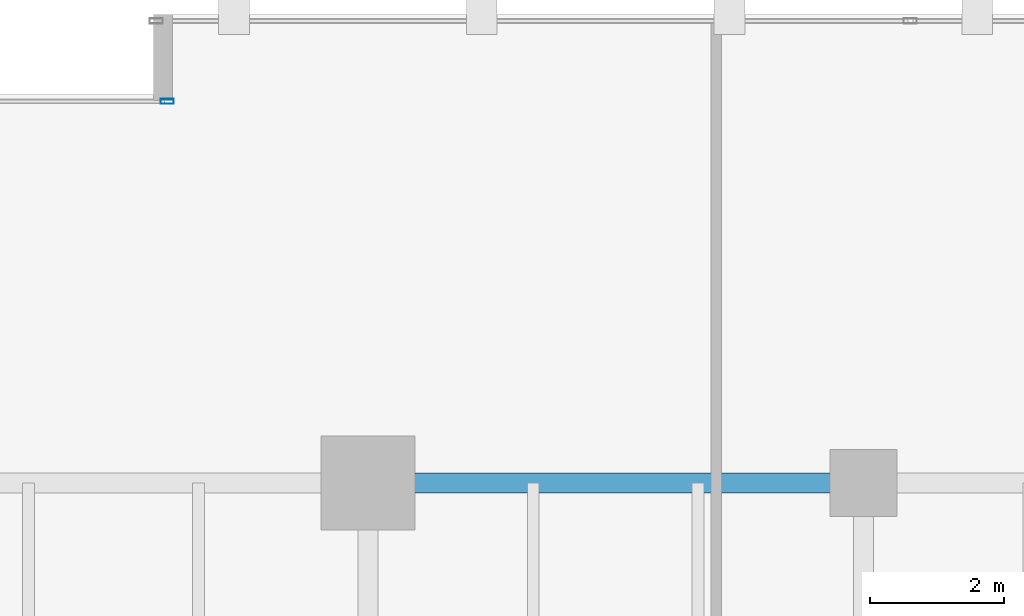
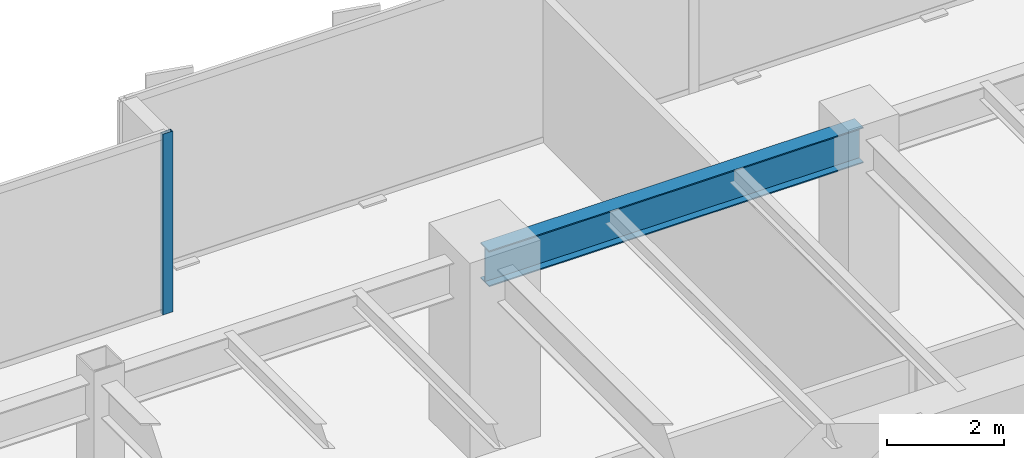
# One storey, part 20 of 36: 1 beam, 1 member, 1 element without a shape of its own.
"""IFC4 building model written with IfcOpenShell, lengths in metres."""

import ifcopenshell
import ifcopenshell.guid

model = None  # the IFC model being written
_history = None  # IfcOwnerHistory: only IFC2X3 demands one
_inside = {}  # id of a spatial element -> (the spatial element, [elements in it])
_under = {}  # id of a project, library or spatial element -> (it, [spatial elements below it])
_declared = {}  # id of a project -> (the project, [libraries it declares])
_typed = {}  # id of a type object -> (the type object, [elements of that type])
_made_of = {}  # id of a material, layer set ... -> (it, [elements and type objects made of it])


def new_model(schema):
    """Start an empty IFC model of exactly this schema.

    Asked for "IFC4X3", IfcOpenShell would pick the latest addendum, in which some entities
    have other attributes; the version numbers below select the first issue.
    IFC2X3 requires an IfcOwnerHistory on every rooted entity: one is made here for all.
    """
    global model, _history
    if schema == "IFC4X3":
        model = ifcopenshell.file(schema_version=(4, 3, 0, 0))
    else:
        model = ifcopenshell.file(schema=schema)
    _inside.clear()
    _under.clear()
    _declared.clear()
    _typed.clear()
    _made_of.clear()
    _history = None
    if model.schema == "IFC2X3":
        org = make("IfcOrganization", Name="unknown")
        user = make(
            "IfcPersonAndOrganization",
            ThePerson=make("IfcPerson", FamilyName="unknown"),
            TheOrganization=org,
        )
        app = make(
            "IfcApplication",
            ApplicationDeveloper=org,
            Version="unknown",
            ApplicationFullName="unknown",
            ApplicationIdentifier="unknown",
        )
        _history = make(
            "IfcOwnerHistory",
            OwningUser=user,
            OwningApplication=app,
            ChangeAction="ADDED",
            CreationDate=0,
        )
    return model


def make(cls, **values):
    """One entity of the class cls with the attributes given. An attribute that is None is left unset."""
    return model.create_entity(
        cls, **{name: value for name, value in values.items() if value is not None}
    )


def rooted(cls, **values):
    """An entity with a GlobalId (a new one), such as an element, a storey or a relation."""
    return make(cls, GlobalId=ifcopenshell.guid.new(), OwnerHistory=_history, **values)


def si_unit(unit_type, name, prefix=None):
    """IfcSIUnit, for example si_unit("LENGTHUNIT", "METRE", prefix="MILLI")."""
    return make("IfcSIUnit", UnitType=unit_type, Prefix=prefix, Name=name)


def assignment(units):
    """IfcUnitAssignment: the units of a project."""
    return None if units is None else make("IfcUnitAssignment", Units=units)


def point(xyz):
    """IfcCartesianPoint."""
    return None if xyz is None else make("IfcCartesianPoint", Coordinates=xyz)


def direction(xyz):
    """IfcDirection."""
    return None if xyz is None else make("IfcDirection", DirectionRatios=xyz)


def frame(location, z_axis=None, x_axis=None):
    """IfcAxis2Placement3D, a coordinate frame: its origin and axes. An axis left out is left unset."""
    return make(
        "IfcAxis2Placement3D",
        Location=point(location),
        Axis=direction(z_axis),
        RefDirection=direction(x_axis),
    )


def frame_2d(location, x_axis=None):
    """IfcAxis2Placement2D, a coordinate frame in the plane: its origin and x axis."""
    return make(
        "IfcAxis2Placement2D", Location=point(location), RefDirection=direction(x_axis)
    )


def origin():
    """The frame at (0, 0, 0) with its axes left unset."""
    return frame((0.0, 0.0, 0.0))


def origin_2d():
    """The frame at (0, 0) in the plane with its x axis left unset."""
    return frame_2d((0.0, 0.0))


def place(relative_to, where):
    """IfcLocalPlacement: puts the frame where relative to a parent placement (None: the world)."""
    return make(
        "IfcLocalPlacement", PlacementRelTo=relative_to, RelativePlacement=where
    )


def context(
    kind, dimensions, precision=None, world=None, true_north=None, identifier=None
):
    """IfcGeometricRepresentationContext, for example the 3D "Model" context."""
    return make(
        "IfcGeometricRepresentationContext",
        ContextIdentifier=identifier,
        ContextType=kind,
        CoordinateSpaceDimension=dimensions,
        Precision=precision,
        WorldCoordinateSystem=world,
        TrueNorth=true_north,
    )


def subcontext(parent, identifier, kind, view, scale=None):
    """IfcGeometricRepresentationSubContext, for example "Body" below "Model"."""
    return make(
        "IfcGeometricRepresentationSubContext",
        ContextIdentifier=identifier,
        ContextType=kind,
        ParentContext=parent,
        TargetScale=scale,
        TargetView=view,
    )


def project(units=None, contexts=None):
    """IfcProject with its units and contexts."""
    return rooted(
        "IfcProject",
        Name="project",
        RepresentationContexts=contexts,
        UnitsInContext=assignment(units),
    )


def spatial(cls, under=None, at=None, **own):
    """A site, building, storey or space (cls), placed at a placement, below another one or the project."""
    s = rooted(cls, ObjectPlacement=at, **own)
    if under is not None:
        _under.setdefault(under.id(), (under, []))[1].append(s)
    return s


def profile(cls, at=None, kind="AREA", **sizes):
    """A parametric profile (cls). Its sizes go by their IFC names, for example OverallWidth=200.0."""
    return make(cls, ProfileType=kind, Position=at, **sizes)


def hollow_rectangle(**sizes):
    """IfcRectangleHollowProfileDef."""
    return profile("IfcRectangleHollowProfileDef", **sizes)


def i_section(**sizes):
    """IfcIShapeProfileDef."""
    return profile("IfcIShapeProfileDef", **sizes)


def extrude(swept, where, along, depth):
    """IfcExtrudedAreaSolid: the profile swept, set in the frame where, extruded along a direction by depth."""
    return make(
        "IfcExtrudedAreaSolid",
        SweptArea=swept,
        Position=where,
        ExtrudedDirection=direction(along),
        Depth=depth,
    )


def shape(context_of_items, identifier, shape_type, items):
    """IfcShapeRepresentation: the items that make up one representation, for example the "Body"."""
    return make(
        "IfcShapeRepresentation",
        ContextOfItems=context_of_items,
        RepresentationIdentifier=identifier,
        RepresentationType=shape_type,
        Items=items,
    )


def source(mapping_origin, context_of_items, identifier, shape_type, items):
    """IfcRepresentationMap: a shape defined once, which mapped items show again and again."""
    return make(
        "IfcRepresentationMap",
        MappingOrigin=mapping_origin,
        MappedRepresentation=shape(context_of_items, identifier, shape_type, items),
    )


def transform(
    local_origin,
    x_axis=None,
    y_axis=None,
    z_axis=None,
    scale=None,
    scale2=None,
    scale3=None,
    uniform=True,
):
    """IfcCartesianTransformationOperator3D, or its non-uniform kind. x_axis, y_axis, z_axis: its Axis1, 2, 3."""
    if uniform:
        return make(
            "IfcCartesianTransformationOperator3D",
            Axis1=direction(x_axis),
            Axis2=direction(y_axis),
            LocalOrigin=point(local_origin),
            Scale=scale,
            Axis3=direction(z_axis),
        )
    return make(
        "IfcCartesianTransformationOperator3DnonUniform",
        Axis1=direction(x_axis),
        Axis2=direction(y_axis),
        LocalOrigin=point(local_origin),
        Scale=scale,
        Axis3=direction(z_axis),
        Scale2=scale2,
        Scale3=scale3,
    )


def mapped(mapping_source, mapping_target):
    """IfcMappedItem: shows the shape of a source again, moved by a transform."""
    return make(
        "IfcMappedItem", MappingSource=mapping_source, MappingTarget=mapping_target
    )


def material(Name=None, Category=None):
    """IfcMaterial."""
    return make("IfcMaterial", Name=Name, Category=Category)


def layer(
    of_material, thickness, ventilated=None, Name=None, Category=None, Priority=None
):
    """IfcMaterialLayer: one layer of a wall or slab, of a material (None: an air gap)."""
    return make(
        "IfcMaterialLayer",
        Material=of_material,
        LayerThickness=thickness,
        IsVentilated=ventilated,
        Name=Name,
        Category=Category,
        Priority=Priority,
    )


def layer_set(layers, Name=None):
    """IfcMaterialLayerSet."""
    return make("IfcMaterialLayerSet", MaterialLayers=layers, LayerSetName=Name)


def material_profile(
    of_material, cross_section, Name=None, Category=None, Priority=None
):
    """IfcMaterialProfile: a cross section and its material."""
    return make(
        "IfcMaterialProfile",
        Name=Name,
        Material=of_material,
        Profile=cross_section,
        Priority=Priority,
        Category=Category,
    )


def profile_set(profiles, Name=None, composite=None):
    """IfcMaterialProfileSet."""
    return make(
        "IfcMaterialProfileSet",
        Name=Name,
        MaterialProfiles=profiles,
        CompositeProfile=composite,
    )


def made_of(thing, what):
    """Note that an element or type object is made of a material, layer set ...; save() writes the relation."""
    if what is not None:
        _made_of.setdefault(what.id(), (what, []))[1].append(thing)
    return thing


def type_object(cls, material=None, **own):
    """A type object (cls), such as IfcWallType, which elements share."""
    return made_of(rooted(cls, **own), material)


def type_shapes(of_type, sources):
    """Give a type object the sources (RepresentationMaps) that its elements show as mapped items."""
    of_type.RepresentationMaps = sources


def element(
    cls,
    number,
    at=None,
    inside=None,
    cuts=None,
    type_object=None,
    material=None,
    context=None,
    identifier="Body",
    shape_type=None,
    held_by="IfcProductDefinitionShape",
    body=None,
    shapes=None,
    **own,
):
    """One element of the class cls, such as IfcWall. Its Tag is "e" and its number.

    at: its placement. inside: the storey or other place that contains it. cuts: it is an
    opening in that element (IfcRelVoidsElement). A single representation is given by context,
    identifier, shape_type and body (its items); several are given by shapes. held_by: the class
    of the entity that holds the representations. save() writes the other relations.
    """
    e = rooted(cls, Tag="e%d" % number, ObjectPlacement=at, **own)
    if body is not None:
        shapes = [shape(context, identifier, shape_type, body)]
    if shapes is not None:
        e.Representation = make(held_by, Representations=shapes)
    if inside is not None:
        _inside.setdefault(inside.id(), (inside, []))[1].append(e)
    if cuts is not None:
        rooted(
            "IfcRelVoidsElement", RelatingBuildingElement=cuts, RelatedOpeningElement=e
        )
    if type_object is not None:
        _typed.setdefault(type_object.id(), (type_object, []))[1].append(e)
    return made_of(e, material)


def aggregate(whole, parts):
    """IfcRelAggregates: a whole, such as a stair, and the parts it consists of."""
    return rooted("IfcRelAggregates", RelatingObject=whole, RelatedObjects=parts)


def save(model, path):
    """Write the relations noted so far, then the file.

    IfcRelAggregates (storeys below a building ...), IfcRelContainedInSpatialStructure (elements
    in a storey), IfcRelDefinesByType, IfcRelAssociatesMaterial and IfcRelDeclares: one each for
    every whole, place, type object, material and project.
    """
    for whole, parts in _under.values():
        aggregate(whole, parts)
    for where, things in _inside.values():
        rooted(
            "IfcRelContainedInSpatialStructure",
            RelatedElements=things,
            RelatingStructure=where,
        )
    for kind, things in _typed.values():
        rooted("IfcRelDefinesByType", RelatedObjects=things, RelatingType=kind)
    for what, things in _made_of.values():
        rooted("IfcRelAssociatesMaterial", RelatedObjects=things, RelatingMaterial=what)
    for by, libraries in _declared.values():
        rooted("IfcRelDeclares", RelatingContext=by, RelatedDefinitions=libraries)
    model.write(path)


model = new_model("IFC4")

# Units and contexts
model_context = context("Model", 3, precision=1e-05, world=origin(), true_north=direction((0.0, 1.0)))
body_context = subcontext(model_context, "Body", "Model", "MODEL_VIEW")
ifc_project = project(units=[si_unit("LENGTHUNIT", "METRE"), si_unit("AREAUNIT", "SQUARE_METRE"), si_unit("VOLUMEUNIT", "CUBIC_METRE"), si_unit("PLANEANGLEUNIT", "RADIAN"), si_unit("MASSUNIT", "GRAM", prefix="KILO")], contexts=[model_context])

# Site, building, storey
site_placement = place(None, origin())
site = spatial("IfcSite", under=ifc_project, at=site_placement, CompositionType="ELEMENT")
building_placement = place(site_placement, origin())
building = spatial("IfcBuilding", under=site, at=building_placement, Name="Haelvirn Gate Laboratories", CompositionType="ELEMENT")
storey_placement = place(building_placement, frame((0.0, 0.0, 29.300048828125)))
storey = spatial("IfcBuildingStorey", under=building, at=storey_placement, Name="L07", CompositionType="ELEMENT", Elevation=29.300048828125)

# Beam
ifc_material_1 = material(Name="Steel SM355", Category="steel")
ifc_material_profile_1 = material_profile(ifc_material_1, i_section(OverallWidth=0.300048828125, OverallDepth=0.75, WebThickness=0.013916015625, FlangeThickness=0.02392578125, at=origin_2d()), Name="H-750x300x14x24")
ifc_profile_set_1 = profile_set([ifc_material_profile_1], Name="Steel SM355")
beam_type = type_object("IfcBeamType", Name="BM-G-750", PredefinedType="BEAM", material=ifc_profile_set_1)
shared_shape_1 = source(origin(), body_context, "Body", "SweptSolid", [
    extrude(i_section(OverallWidth=0.300048828125, OverallDepth=0.75, WebThickness=0.013916015625, FlangeThickness=0.02392578125, at=origin_2d()), origin(), (0.0, 0.0, 1.0), 7.39990234375),
])
type_shapes(beam_type, [shared_shape_1])
beam_placement = place(storey_placement, frame((52.60009765625, 41.60009765625, 3.405029296875), z_axis=(1.0, 0.0, 0.0), x_axis=(0.0, 1.0, 0.0)))
element("IfcBeam", 1, at=beam_placement, inside=storey, type_object=beam_type, Name="L07 Primary Girder Y41.6 (52.6-60.0)", PredefinedType="BEAM", context=body_context, shape_type="MappedRepresentation", body=[
    mapped(shared_shape_1, transform((0.0, 0.0, 0.0), scale=1.0)),
])

# Curtain wall, member
ifc_material_2 = material(Name="Anodised bronze unitised aluminium & triple low-E glass", Category="aluminium")
ifc_layer = layer(ifc_material_2, 0.18408203125, Name="CW-SYS-2")
ifc_layer_set = layer_set([ifc_layer], Name="Anodised bronze unitised aluminium & triple low-E glass")
curtain_wall_type = type_object("IfcCurtainWallType", Name="CW-SYS-2", PredefinedType="NOTDEFINED", material=ifc_layer_set)
curtain_wall_placement = place(storey_placement, origin())
curtain_wall = element("IfcCurtainWall", 2, at=curtain_wall_placement, inside=storey, type_object=curtain_wall_type, Name="L07 Unitised Curtain Wall CW-L07-P0-E12-1", PredefinedType="NOTDEFINED")
ifc_material_3 = material(Name="Extruded aluminium 6063-T6 (anodised bronze)", Category="aluminium")
ifc_material_profile_2 = material_profile(ifc_material_3, hollow_rectangle(XDim=0.074951171875, YDim=0.199951171875, WallThickness=0.0048828125, at=origin_2d()), Name="CWM-200x75x5")
ifc_profile_set_2 = profile_set([ifc_material_profile_2], Name="Extruded aluminium 6063-T6 (anodised bronze)")
member_type = type_object("IfcMemberType", Name="CWM-T200", PredefinedType="MULLION", material=ifc_profile_set_2)
shared_shape_2 = source(origin(), body_context, "Body", "SweptSolid", [
    extrude(hollow_rectangle(XDim=0.074951171875, YDim=0.199951171875, WallThickness=0.0048828125, at=origin_2d()), origin(), (0.0, 0.0, 1.0), 3.780029296875),
])
type_shapes(member_type, [shared_shape_2])
member_placement = place(storey_placement, frame((49.6025390625, 47.300048828125, 0.0), z_axis=(0.0, 0.0, 1.0), x_axis=(0.0, 1.0, 0.0)))
member = element("IfcMember", 3, at=member_placement, type_object=member_type, Name="CW2 mullion 3", PredefinedType="MULLION", context=body_context, shape_type="MappedRepresentation", body=[
    mapped(shared_shape_2, transform((0.0, 0.0, 0.0), scale=1.0)),
])
aggregate(curtain_wall, [member])

save(model, "model.ifc")
